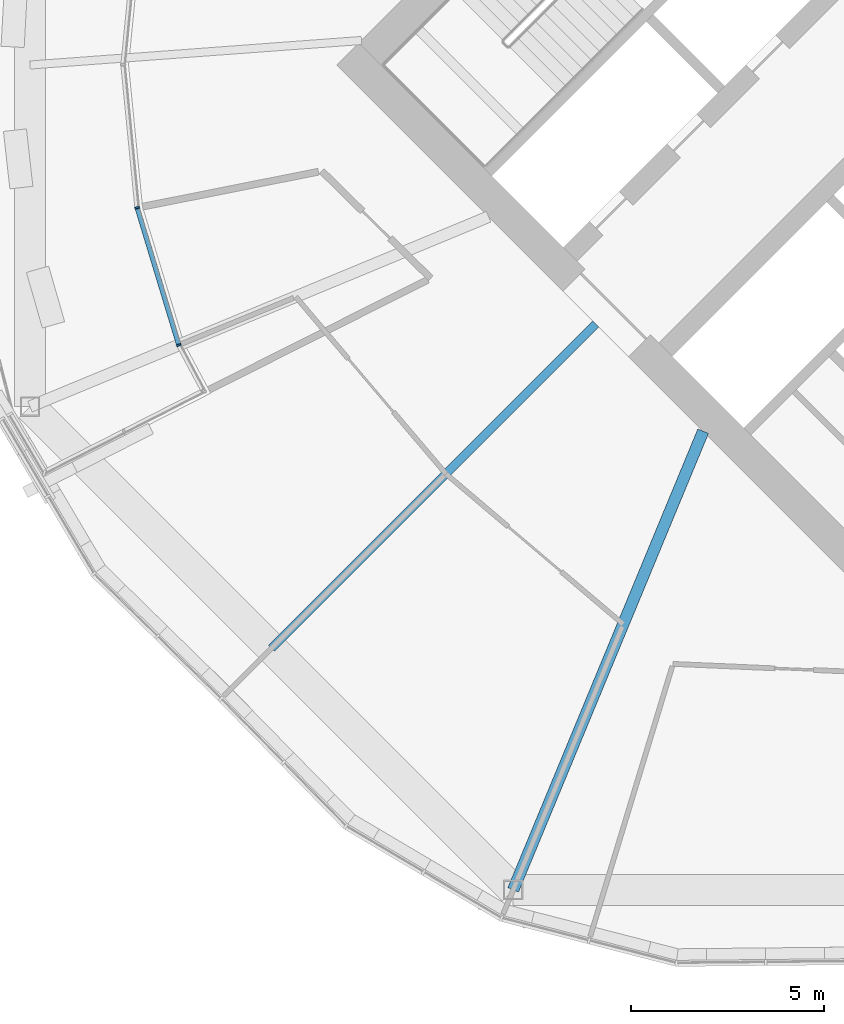
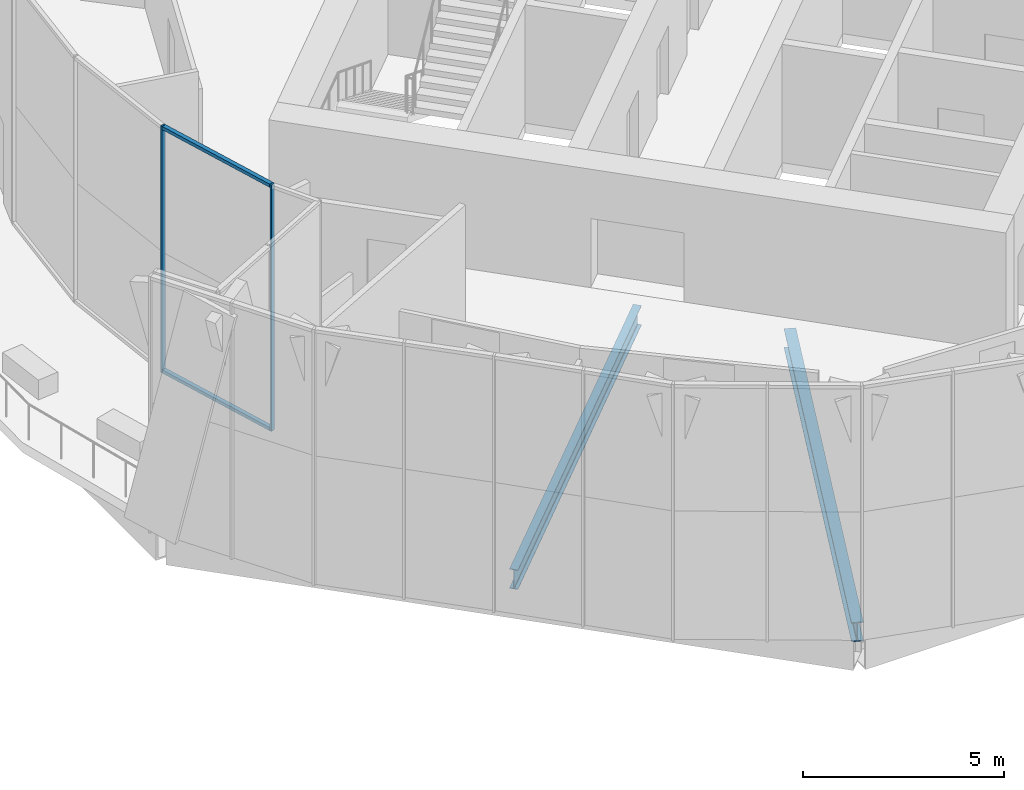
# One storey, part 11 of 31: 4 members, 2 beams, 1 element without a shape of its own.
"""IFC4 building model written with IfcOpenShell, lengths in metres."""

from ifc_helpers import new_model, si_unit, direction, frame, origin, origin_2d, place, context, subcontext, project, spatial, rectangle, i_section, extrude, material, material_profile, profile_set, type_object, element, aggregate, save


model = new_model("IFC4")

# Units and contexts
model_context = context("Model", 3, precision=1e-05, world=origin(), true_north=direction((0.0, 1.0)))
body_context = subcontext(model_context, "Body", "Model", "MODEL_VIEW")
ifc_project = project(units=[si_unit("LENGTHUNIT", "METRE"), si_unit("AREAUNIT", "SQUARE_METRE"), si_unit("VOLUMEUNIT", "CUBIC_METRE"), si_unit("PLANEANGLEUNIT", "RADIAN"), si_unit("MASSUNIT", "GRAM", prefix="KILO")], contexts=[model_context])

# Site, building, storey
site_placement = place(None, origin())
site = spatial("IfcSite", under=ifc_project, at=site_placement, CompositionType="ELEMENT")
building_placement = place(site_placement, origin())
building = spatial("IfcBuilding", under=site, at=building_placement, Name="Ogive Gate Towers", CompositionType="ELEMENT")
storey_placement = place(building_placement, frame((0.0, 0.0, 107.39990234375)))
storey = spatial("IfcBuildingStorey", under=building, at=storey_placement, Name="L25", CompositionType="ELEMENT", Elevation=107.39990234375)

# Beams
ifc_material_1 = material(Name="Steel SM355", Category="steel")
ifc_material_profile_1 = material_profile(ifc_material_1, i_section(OverallWidth=0.300048828125, OverallDepth=0.590087890625, WebThickness=0.012939453125, FlangeThickness=0.02490234375, FilletRadius=0.027099609375, at=origin_2d()), Name="HE 600 A")
ifc_profile_set_1 = profile_set([ifc_material_profile_1], Name="Steel SM355")
beam_type_1 = type_object("IfcBeamType", Name="Radial floor beam HE 600 A", PredefinedType="BEAM", material=ifc_profile_set_1)
beam_1_placement = place(storey_placement, frame((32.06494140625, -9.5, -0.594970703125), z_axis=(-0.382689470177, -0.923877031545, 0.0), x_axis=(0.923877031545, -0.382689470177, 0.0)))
element("IfcBeam", 1, at=beam_1_placement, inside=storey, type_object=beam_type_1, Name="T2/L25/SBM003", PredefinedType="BEAM", context=body_context, shape_type="SweptSolid", body=[
    extrude(i_section(OverallWidth=0.300048828125, OverallDepth=0.590087890625, WebThickness=0.012939453125, FlangeThickness=0.02490234375, FilletRadius=0.027099609375, at=origin_2d()), origin(), (0.0, 0.0, 1.0), 12.877197265625),
])
ifc_material_profile_2 = material_profile(ifc_material_1, i_section(OverallWidth=0.219970703125, OverallDepth=0.60009765625, WebThickness=0.011962890625, FlangeThickness=0.01904296875, FilletRadius=0.02392578125, at=origin_2d()), Name="IPE 600")
ifc_profile_set_2 = profile_set([ifc_material_profile_2], Name="Steel SM355")
beam_type_2 = type_object("IfcBeamType", Name="Radial floor beam IPE 600", PredefinedType="BEAM", material=ifc_profile_set_2)
beam_2_placement = place(storey_placement, frame((29.282470703125, -6.717529296875, -0.599853515625), z_axis=(-0.707106781187, -0.707106781187, 0.0), x_axis=(0.707106781187, -0.707106781187, 0.0)))
element("IfcBeam", 2, at=beam_2_placement, inside=storey, type_object=beam_type_2, Name="T2/L25/SBM002", PredefinedType="BEAM", context=body_context, shape_type="SweptSolid", body=[
    extrude(i_section(OverallWidth=0.219970703125, OverallDepth=0.60009765625, WebThickness=0.011962890625, FlangeThickness=0.01904296875, FilletRadius=0.02392578125, at=origin_2d()), origin(), (0.0, 0.0, 1.0), 11.89697265625),
])

# Curtain wall, members
ifc_material_2 = material(Name="Pale metal aluminium", Category="aluminium")
curtain_wall_type = type_object("IfcCurtainWallType", Name="Sky garden glazing", PredefinedType="NOTDEFINED", material=ifc_material_2)
curtain_wall_placement = place(storey_placement, origin())
curtain_wall = element("IfcCurtainWall", 3, at=curtain_wall_placement, inside=storey, type_object=curtain_wall_type, Name="CW4 T2 ECW02", PredefinedType="NOTDEFINED")
ifc_material_profile_3 = material_profile(ifc_material_2, rectangle(XDim=0.1201171875, YDim=0.050048828125, at=origin_2d()), Name="50 x 120 aluminium box")
ifc_profile_set_3 = profile_set([ifc_material_profile_3], Name="Pale metal aluminium")
member_type_1 = type_object("IfcMemberType", Name="Sky garden glazing mullion 50 x 120", PredefinedType="MULLION", material=ifc_profile_set_3)
member_1_placement = place(storey_placement, frame((18.46435546875, -7.263427734375, 0.0), z_axis=(0.0, 0.0, 1.0), x_axis=(0.923879532511, 0.382683432365, 0.0)))
member_1 = element("IfcMember", 4, at=member_1_placement, type_object=member_type_1, Name="CW4 mullion", PredefinedType="MULLION", context=body_context, shape_type="SweptSolid", body=[
    extrude(rectangle(XDim=0.1201171875, YDim=0.050048828125, at=origin_2d()), origin(), (0.0, 0.0, 1.0), 7.5),
])
member_2_placement = place(storey_placement, frame((17.38427734375, -3.702880859375, 0.0), z_axis=(0.0, 0.0, 1.0), x_axis=(0.980785280403, 0.195090322016, 0.0)))
member_2 = element("IfcMember", 5, at=member_2_placement, type_object=member_type_1, Name="CW4 mullion", PredefinedType="MULLION", context=body_context, shape_type="SweptSolid", body=[
    extrude(rectangle(XDim=0.1201171875, YDim=0.050048828125, at=origin_2d()), origin(), (0.0, 0.0, 1.0), 7.5),
])
ifc_material_profile_4 = material_profile(ifc_material_2, rectangle(XDim=0.1201171875, YDim=0.10009765625, at=origin_2d()), Name="100 x 120 aluminium box")
ifc_profile_set_4 = profile_set([ifc_material_profile_4], Name="Pale metal aluminium")
member_type_2 = type_object("IfcMemberType", Name="Sky garden glazing transom 100 x 120", PredefinedType="USERDEFINED", material=ifc_profile_set_4)
member_3_placement = place(storey_placement, frame((18.455810546875, -7.23583984375, 7.4501953125), z_axis=(-0.290275623245, 0.956943082189, 0.0), x_axis=(-0.956943082189, -0.290275623245, 0.0)))
member_3 = element("IfcMember", 6, at=member_3_placement, type_object=member_type_2, Name="CW4 transom", ObjectType="TRANSOM", PredefinedType="USERDEFINED", context=body_context, shape_type="SweptSolid", body=[
    extrude(rectangle(XDim=0.1201171875, YDim=0.10009765625, at=origin_2d()), origin(), (0.0, 0.0, 1.0), 3.662841796875),
])
member_4_placement = place(storey_placement, frame((18.455810546875, -7.23583984375, 0.050048828125), z_axis=(-0.290275623245, 0.956943082189, 0.0), x_axis=(-0.956943082189, -0.290275623245, 0.0)))
member_4 = element("IfcMember", 7, at=member_4_placement, type_object=member_type_2, Name="CW4 transom", ObjectType="TRANSOM", PredefinedType="USERDEFINED", context=body_context, shape_type="SweptSolid", body=[
    extrude(rectangle(XDim=0.1201171875, YDim=0.10009765625, at=origin_2d()), origin(), (0.0, 0.0, 1.0), 3.662841796875),
])
aggregate(curtain_wall, [member_1, member_2, member_3, member_4])

save(model, "model.ifc")
